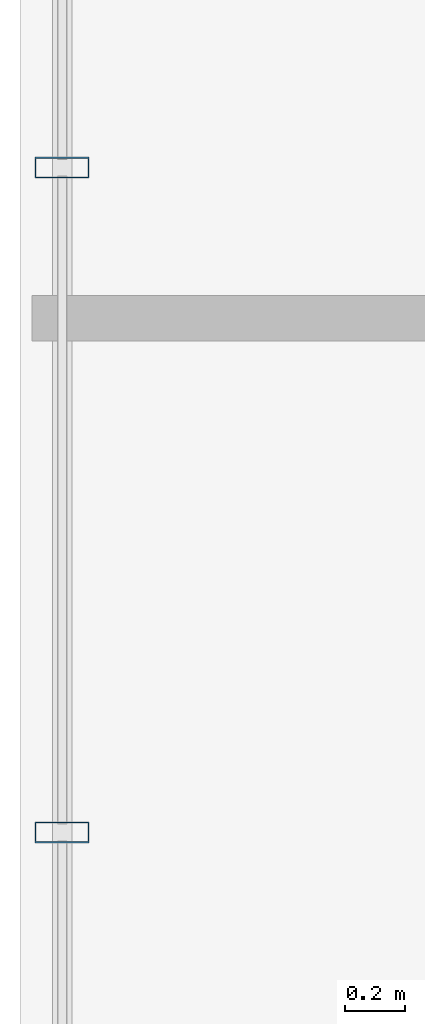
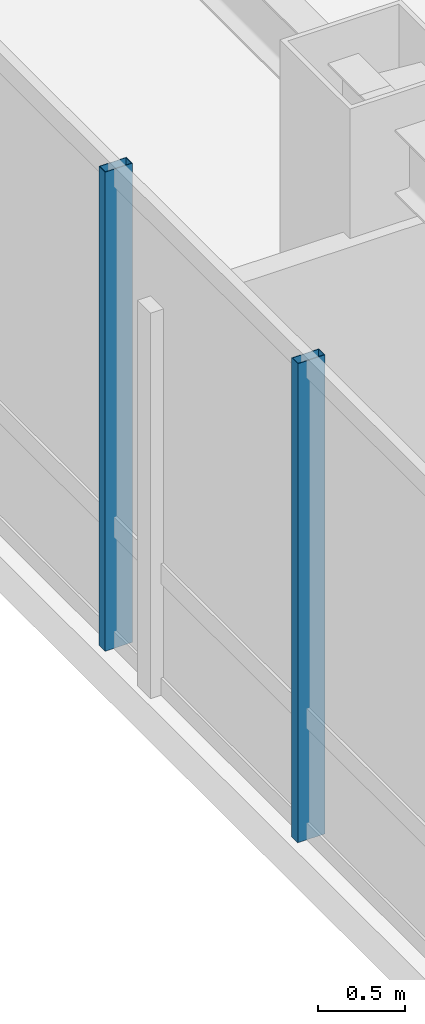
# One storey, part 6 of 27: 2 members, 1 element without a shape of its own.
"""IFC4 building model written with IfcOpenShell, lengths in metres."""

from ifc_helpers import new_model, si_unit, direction, frame, origin, origin_2d, place, context, subcontext, project, spatial, hollow_rectangle, extrude, material, layer, layer_set, material_profile, profile_set, type_object, element, aggregate, save


model = new_model("IFC4")

# Units and contexts
model_context = context("Model", 3, precision=1e-05, world=origin(), true_north=direction((0.0, 1.0)))
body_context = subcontext(model_context, "Body", "Model", "MODEL_VIEW")
ifc_project = project(units=[si_unit("LENGTHUNIT", "METRE"), si_unit("AREAUNIT", "SQUARE_METRE"), si_unit("VOLUMEUNIT", "CUBIC_METRE"), si_unit("PLANEANGLEUNIT", "RADIAN"), si_unit("MASSUNIT", "GRAM", prefix="KILO")], contexts=[model_context])

# Site, building, storey
site_placement = place(None, origin())
site = spatial("IfcSite", under=ifc_project, at=site_placement, CompositionType="ELEMENT")
building_placement = place(site_placement, origin())
building = spatial("IfcBuilding", under=site, at=building_placement, Name="Hatsunagi Terrace Concourse", CompositionType="ELEMENT")
storey_placement = place(building_placement, frame((0.0, 0.0, 142.050048828125)))
storey = spatial("IfcBuildingStorey", under=building, at=storey_placement, Name="L37", CompositionType="ELEMENT", Elevation=142.050048828125)

# Curtain wall, members
ifc_material_1 = material(Name="Anodised Aluminium Alloy 6063-T5", Category="aluminium")
ifc_layer = layer(ifc_material_1, 0.199951171875)
ifc_layer_set = layer_set([ifc_layer], Name="OfficeZone1_CW03")
curtain_wall_type = type_object("IfcCurtainWallType", Name="OfficeZone1_CW03", PredefinedType="NOTDEFINED", material=ifc_layer_set)
curtain_wall_placement = place(storey_placement, origin())
curtain_wall = element("IfcCurtainWall", 1, at=curtain_wall_placement, inside=storey, type_object=curtain_wall_type, Name="Unitised Curtain Wall CW-03 CW-L37-09", PredefinedType="NOTDEFINED")
ifc_material_2 = material(Name="Anodised Aluminium Alloy 6063-T5", Category="aluminium")
ifc_material_profile = material_profile(ifc_material_2, hollow_rectangle(XDim=0.070068359375, YDim=0.179931640625, WallThickness=0.00390625, at=origin_2d()), Name="ALU-MUL-180x70x4")
ifc_profile_set = profile_set([ifc_material_profile], Name="Anodised Aluminium Alloy 6063-T5")
member_type = type_object("IfcMemberType", Name="CurtainWallMullion_180x70", PredefinedType="MULLION", material=ifc_profile_set)
member_1_placement = place(storey_placement, frame((9.739990234375, 34.69189453125, 0.0), z_axis=(0.0, 0.0, 1.0), x_axis=(0.0, 1.0, 0.0)))
member_1 = element("IfcMember", 2, at=member_1_placement, type_object=member_type, Name="Curtain Wall Mullion MUL-02", PredefinedType="MULLION", context=body_context, shape_type="SweptSolid", body=[
    extrude(hollow_rectangle(XDim=0.070068359375, YDim=0.179931640625, WallThickness=0.00390625, at=origin_2d()), origin(), (0.0, 0.0, 1.0), 3.349853515625),
])
member_2_placement = place(storey_placement, frame((9.739990234375, 36.89990234375, 0.0), z_axis=(0.0, 0.0, 1.0), x_axis=(0.0, 1.0, 0.0)))
member_2 = element("IfcMember", 3, at=member_2_placement, type_object=member_type, Name="Curtain Wall Mullion MUL-02", PredefinedType="MULLION", context=body_context, shape_type="SweptSolid", body=[
    extrude(hollow_rectangle(XDim=0.070068359375, YDim=0.179931640625, WallThickness=0.00390625, at=origin_2d()), origin(), (0.0, 0.0, 1.0), 3.349853515625),
])
aggregate(curtain_wall, [member_1, member_2])

save(model, "model.ifc")
